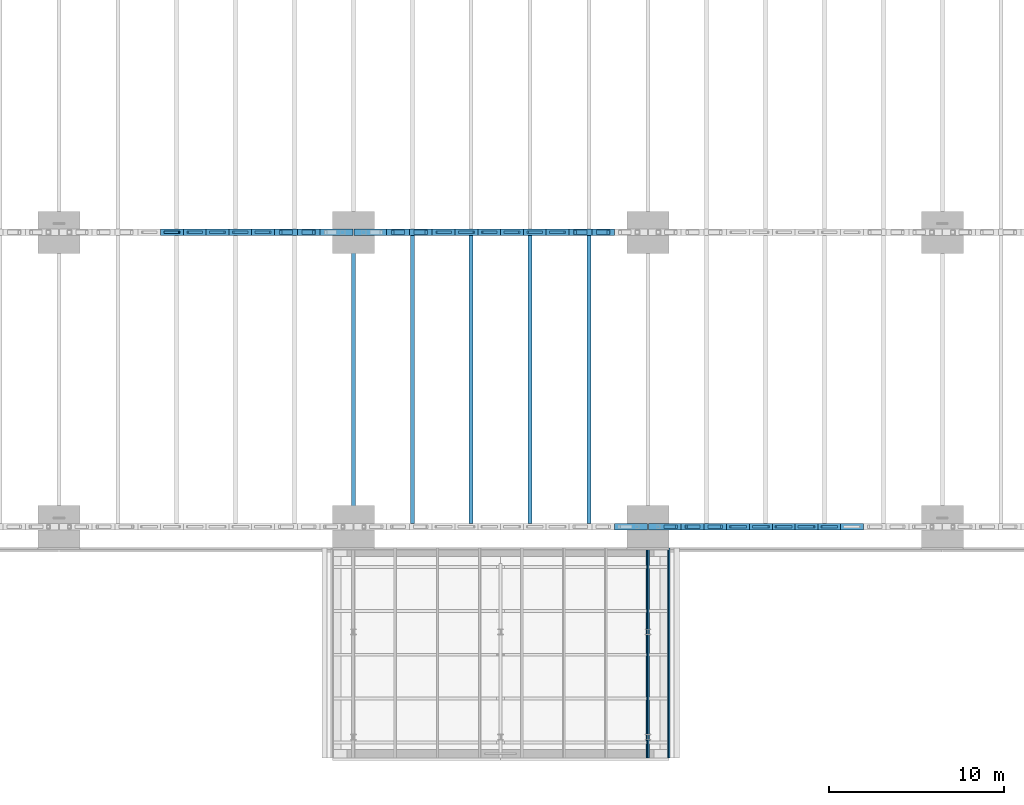
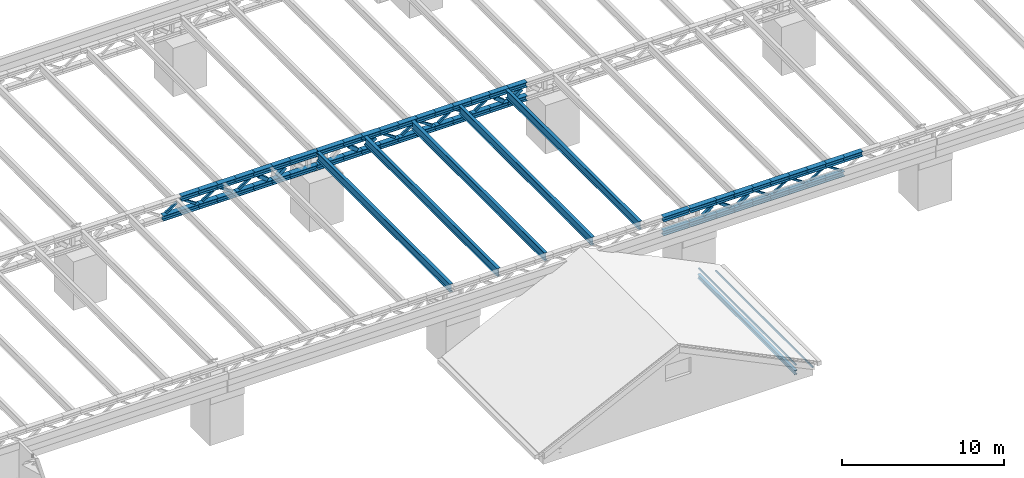
# One storey, part 23 of 93: 83 members, 6 beams.
"""IFC4 building model written with IfcOpenShell, lengths in metres."""

import ifcopenshell
import ifcopenshell.guid

model = None  # the IFC model being written
_history = None  # IfcOwnerHistory: only IFC2X3 demands one
_inside = {}  # id of a spatial element -> (the spatial element, [elements in it])
_under = {}  # id of a project, library or spatial element -> (it, [spatial elements below it])
_declared = {}  # id of a project -> (the project, [libraries it declares])
_typed = {}  # id of a type object -> (the type object, [elements of that type])
_made_of = {}  # id of a material, layer set ... -> (it, [elements and type objects made of it])


def new_model(schema):
    """Start an empty IFC model of exactly this schema.

    Asked for "IFC4X3", IfcOpenShell would pick the latest addendum, in which some entities
    have other attributes; the version numbers below select the first issue.
    IFC2X3 requires an IfcOwnerHistory on every rooted entity: one is made here for all.
    """
    global model, _history
    if schema == "IFC4X3":
        model = ifcopenshell.file(schema_version=(4, 3, 0, 0))
    else:
        model = ifcopenshell.file(schema=schema)
    _inside.clear()
    _under.clear()
    _declared.clear()
    _typed.clear()
    _made_of.clear()
    _history = None
    if model.schema == "IFC2X3":
        org = make("IfcOrganization", Name="unknown")
        user = make(
            "IfcPersonAndOrganization",
            ThePerson=make("IfcPerson", FamilyName="unknown"),
            TheOrganization=org,
        )
        app = make(
            "IfcApplication",
            ApplicationDeveloper=org,
            Version="unknown",
            ApplicationFullName="unknown",
            ApplicationIdentifier="unknown",
        )
        _history = make(
            "IfcOwnerHistory",
            OwningUser=user,
            OwningApplication=app,
            ChangeAction="ADDED",
            CreationDate=0,
        )
    return model


def make(cls, **values):
    """One entity of the class cls with the attributes given. An attribute that is None is left unset."""
    return model.create_entity(
        cls, **{name: value for name, value in values.items() if value is not None}
    )


def rooted(cls, **values):
    """An entity with a GlobalId (a new one), such as an element, a storey or a relation."""
    return make(cls, GlobalId=ifcopenshell.guid.new(), OwnerHistory=_history, **values)


def si_unit(unit_type, name, prefix=None):
    """IfcSIUnit, for example si_unit("LENGTHUNIT", "METRE", prefix="MILLI")."""
    return make("IfcSIUnit", UnitType=unit_type, Prefix=prefix, Name=name)


def assignment(units):
    """IfcUnitAssignment: the units of a project."""
    return None if units is None else make("IfcUnitAssignment", Units=units)


def point(xyz):
    """IfcCartesianPoint."""
    return None if xyz is None else make("IfcCartesianPoint", Coordinates=xyz)


def direction(xyz):
    """IfcDirection."""
    return None if xyz is None else make("IfcDirection", DirectionRatios=xyz)


def frame(location, z_axis=None, x_axis=None):
    """IfcAxis2Placement3D, a coordinate frame: its origin and axes. An axis left out is left unset."""
    return make(
        "IfcAxis2Placement3D",
        Location=point(location),
        Axis=direction(z_axis),
        RefDirection=direction(x_axis),
    )


def frame_2d(location, x_axis=None):
    """IfcAxis2Placement2D, a coordinate frame in the plane: its origin and x axis."""
    return make(
        "IfcAxis2Placement2D", Location=point(location), RefDirection=direction(x_axis)
    )


def origin():
    """The frame at (0, 0, 0) with its axes left unset."""
    return frame((0.0, 0.0, 0.0))


def origin_2d():
    """The frame at (0, 0) in the plane with its x axis left unset."""
    return frame_2d((0.0, 0.0))


def place(relative_to, where):
    """IfcLocalPlacement: puts the frame where relative to a parent placement (None: the world)."""
    return make(
        "IfcLocalPlacement", PlacementRelTo=relative_to, RelativePlacement=where
    )


def context(
    kind, dimensions, precision=None, world=None, true_north=None, identifier=None
):
    """IfcGeometricRepresentationContext, for example the 3D "Model" context."""
    return make(
        "IfcGeometricRepresentationContext",
        ContextIdentifier=identifier,
        ContextType=kind,
        CoordinateSpaceDimension=dimensions,
        Precision=precision,
        WorldCoordinateSystem=world,
        TrueNorth=true_north,
    )


def subcontext(parent, identifier, kind, view, scale=None):
    """IfcGeometricRepresentationSubContext, for example "Body" below "Model"."""
    return make(
        "IfcGeometricRepresentationSubContext",
        ContextIdentifier=identifier,
        ContextType=kind,
        ParentContext=parent,
        TargetScale=scale,
        TargetView=view,
    )


def project(units=None, contexts=None):
    """IfcProject with its units and contexts."""
    return rooted(
        "IfcProject",
        Name="project",
        RepresentationContexts=contexts,
        UnitsInContext=assignment(units),
    )


def spatial(cls, under=None, at=None, **own):
    """A site, building, storey or space (cls), placed at a placement, below another one or the project."""
    s = rooted(cls, ObjectPlacement=at, **own)
    if under is not None:
        _under.setdefault(under.id(), (under, []))[1].append(s)
    return s


def profile(cls, at=None, kind="AREA", **sizes):
    """A parametric profile (cls). Its sizes go by their IFC names, for example OverallWidth=200.0."""
    return make(cls, ProfileType=kind, Position=at, **sizes)


def hollow_rectangle(**sizes):
    """IfcRectangleHollowProfileDef."""
    return profile("IfcRectangleHollowProfileDef", **sizes)


def i_section(**sizes):
    """IfcIShapeProfileDef."""
    return profile("IfcIShapeProfileDef", **sizes)


def extrude(swept, where, along, depth):
    """IfcExtrudedAreaSolid: the profile swept, set in the frame where, extruded along a direction by depth."""
    return make(
        "IfcExtrudedAreaSolid",
        SweptArea=swept,
        Position=where,
        ExtrudedDirection=direction(along),
        Depth=depth,
    )


def shape(context_of_items, identifier, shape_type, items):
    """IfcShapeRepresentation: the items that make up one representation, for example the "Body"."""
    return make(
        "IfcShapeRepresentation",
        ContextOfItems=context_of_items,
        RepresentationIdentifier=identifier,
        RepresentationType=shape_type,
        Items=items,
    )


def material(Name=None, Category=None):
    """IfcMaterial."""
    return make("IfcMaterial", Name=Name, Category=Category)


def material_profile(
    of_material, cross_section, Name=None, Category=None, Priority=None
):
    """IfcMaterialProfile: a cross section and its material."""
    return make(
        "IfcMaterialProfile",
        Name=Name,
        Material=of_material,
        Profile=cross_section,
        Priority=Priority,
        Category=Category,
    )


def profile_set(profiles, Name=None, composite=None):
    """IfcMaterialProfileSet."""
    return make(
        "IfcMaterialProfileSet",
        Name=Name,
        MaterialProfiles=profiles,
        CompositeProfile=composite,
    )


def made_of(thing, what):
    """Note that an element or type object is made of a material, layer set ...; save() writes the relation."""
    if what is not None:
        _made_of.setdefault(what.id(), (what, []))[1].append(thing)
    return thing


def type_object(cls, material=None, **own):
    """A type object (cls), such as IfcWallType, which elements share."""
    return made_of(rooted(cls, **own), material)


def element(
    cls,
    number,
    at=None,
    inside=None,
    cuts=None,
    type_object=None,
    material=None,
    context=None,
    identifier="Body",
    shape_type=None,
    held_by="IfcProductDefinitionShape",
    body=None,
    shapes=None,
    **own,
):
    """One element of the class cls, such as IfcWall. Its Tag is "e" and its number.

    at: its placement. inside: the storey or other place that contains it. cuts: it is an
    opening in that element (IfcRelVoidsElement). A single representation is given by context,
    identifier, shape_type and body (its items); several are given by shapes. held_by: the class
    of the entity that holds the representations. save() writes the other relations.
    """
    e = rooted(cls, Tag="e%d" % number, ObjectPlacement=at, **own)
    if body is not None:
        shapes = [shape(context, identifier, shape_type, body)]
    if shapes is not None:
        e.Representation = make(held_by, Representations=shapes)
    if inside is not None:
        _inside.setdefault(inside.id(), (inside, []))[1].append(e)
    if cuts is not None:
        rooted(
            "IfcRelVoidsElement", RelatingBuildingElement=cuts, RelatedOpeningElement=e
        )
    if type_object is not None:
        _typed.setdefault(type_object.id(), (type_object, []))[1].append(e)
    return made_of(e, material)


def aggregate(whole, parts):
    """IfcRelAggregates: a whole, such as a stair, and the parts it consists of."""
    return rooted("IfcRelAggregates", RelatingObject=whole, RelatedObjects=parts)


def save(model, path):
    """Write the relations noted so far, then the file.

    IfcRelAggregates (storeys below a building ...), IfcRelContainedInSpatialStructure (elements
    in a storey), IfcRelDefinesByType, IfcRelAssociatesMaterial and IfcRelDeclares: one each for
    every whole, place, type object, material and project.
    """
    for whole, parts in _under.values():
        aggregate(whole, parts)
    for where, things in _inside.values():
        rooted(
            "IfcRelContainedInSpatialStructure",
            RelatedElements=things,
            RelatingStructure=where,
        )
    for kind, things in _typed.values():
        rooted("IfcRelDefinesByType", RelatedObjects=things, RelatingType=kind)
    for what, things in _made_of.values():
        rooted("IfcRelAssociatesMaterial", RelatedObjects=things, RelatingMaterial=what)
    for by, libraries in _declared.values():
        rooted("IfcRelDeclares", RelatingContext=by, RelatedDefinitions=libraries)
    model.write(path)


model = new_model("IFC4")

# Units and contexts
model_context = context("Model", 3, precision=1e-05, world=origin(), true_north=direction((0.0, 1.0)))
body_context = subcontext(model_context, "Body", "Model", "MODEL_VIEW")
ifc_project = project(units=[si_unit("LENGTHUNIT", "METRE"), si_unit("AREAUNIT", "SQUARE_METRE"), si_unit("VOLUMEUNIT", "CUBIC_METRE"), si_unit("PLANEANGLEUNIT", "RADIAN"), si_unit("MASSUNIT", "GRAM", prefix="KILO")], contexts=[model_context])

# Site, building, storey
site_placement = place(None, origin())
site = spatial("IfcSite", under=ifc_project, at=site_placement, CompositionType="ELEMENT")
building_placement = place(site_placement, origin())
building = spatial("IfcBuilding", under=site, at=building_placement, Name="Verrick Yard Athletic Hall", CompositionType="ELEMENT")
storey_placement = place(building_placement, frame((0.0, 0.0, 8.800048828125)))
storey = spatial("IfcBuildingStorey", under=building, at=storey_placement, Name="L02", CompositionType="ELEMENT", Elevation=8.800048828125)

# Beam
ifc_material_1 = material(Name="Structural steel 350W (CSA G40.21)", Category="steel")
ifc_material_profile_1 = material_profile(ifc_material_1, i_section(OverallWidth=0.205078125, OverallDepth=0.31005859375, WebThickness=0.009521484375, FlangeThickness=0.016357421875, at=origin_2d()), Name="W310x74")
ifc_profile_set_1 = profile_set([ifc_material_profile_1], Name="Structural steel 350W (CSA G40.21)")
beam_type_1 = type_object("IfcBeamType", Name="STR Eave beam W310x74", PredefinedType="BEAM", material=ifc_profile_set_1)
beam_placement = place(storey_placement, frame((107.199951171875, 6.0, 0.634765625), z_axis=(0.0, 1.0, 0.0), x_axis=(-1.0, 0.0, 0.0)))
element("IfcBeam", 1, at=beam_placement, inside=storey, type_object=beam_type_1, Name="STR-EB-F2", PredefinedType="BEAM", context=body_context, shape_type="SweptSolid", body=[
    extrude(i_section(OverallWidth=0.205078125, OverallDepth=0.31005859375, WebThickness=0.009521484375, FlangeThickness=0.016357421875, at=origin_2d()), origin(), (0.0, 0.0, 1.0), 12.0),
])

# Members
ifc_material_profile_2 = material_profile(ifc_material_1, i_section(OverallWidth=0.368896484375, OverallDepth=0.35595703125, WebThickness=0.01123046875, FlangeThickness=0.01806640625, at=origin_2d()), Name="W360x134")
ifc_profile_set_2 = profile_set([ifc_material_profile_2], Name="Structural steel 350W (CSA G40.21)")
member_type_1 = type_object("IfcMemberType", Name="STR Edge truss bottom chord W360x134", PredefinedType="CHORD", material=ifc_profile_set_2)
for number, where, z_axis, x_axis, name in (
    (2, (105.300048828125, 19.199951171875, 3.827880859375), (1.0, 0.0, 0.0), (0.0, 1.0, 0.0), "STR-BC-GA4-12"),
    (3, (107.22509765625, 19.199951171875, 3.827880859375), (1.0, 0.0, 0.0), (0.0, 1.0, 0.0), "STR-BC-GA5-1"),
):
    element("IfcMember", number, at=place(storey_placement, frame(where, z_axis=z_axis, x_axis=x_axis)), inside=storey, type_object=member_type_1, Name=name, PredefinedType="CHORD", context=body_context, shape_type="SweptSolid", body=[
        extrude(i_section(OverallWidth=0.368896484375, OverallDepth=0.35595703125, WebThickness=0.01123046875, FlangeThickness=0.01806640625, at=origin_2d()), origin(), (0.0, 0.0, 1.0), 1.875),
    ])
member_1_placement = place(storey_placement, frame((109.10009765625, 19.199951171875, 3.827880859375), z_axis=(1.0, 0.0, 0.0), x_axis=(0.0, 1.0, 0.0)))
element("IfcMember", 4, at=member_1_placement, inside=storey, type_object=member_type_1, Name="STR-BC-GA5-2", PredefinedType="CHORD", context=body_context, shape_type="SweptSolid", body=[
    extrude(i_section(OverallWidth=0.368896484375, OverallDepth=0.35595703125, WebThickness=0.01123046875, FlangeThickness=0.01806640625, at=origin_2d()), origin(), (0.0, 0.0, 1.0), 1.2998046875),
])
for number, where, z_axis, x_axis, name in (
    (5, (110.39990234375, 19.199951171875, 3.827880859375), (1.0, 0.0, 0.0), (0.0, 1.0, 0.0), "STR-BC-GA5-3"),
    (6, (111.699951171875, 19.199951171875, 3.827880859375), (1.0, 0.0, 0.0), (0.0, 1.0, 0.0), "STR-BC-GA5-4"),
    (7, (113.0, 19.199951171875, 3.827880859375), (1.0, 0.0, 0.0), (0.0, 1.0, 0.0), "STR-BC-GA5-5"),
    (8, (114.300048828125, 19.199951171875, 3.827880859375), (1.0, 0.0, 0.0), (0.0, 1.0, 0.0), "STR-BC-GA5-6"),
):
    element("IfcMember", number, at=place(storey_placement, frame(where, z_axis=z_axis, x_axis=x_axis)), inside=storey, type_object=member_type_1, Name=name, PredefinedType="CHORD", context=body_context, shape_type="SweptSolid", body=[
        extrude(i_section(OverallWidth=0.368896484375, OverallDepth=0.35595703125, WebThickness=0.01123046875, FlangeThickness=0.01806640625, at=origin_2d()), origin(), (0.0, 0.0, 1.0), 1.300048828125),
    ])
member_2_placement = place(storey_placement, frame((115.60009765625, 19.199951171875, 3.827880859375), z_axis=(1.0, 0.0, 0.0), x_axis=(0.0, 1.0, 0.0)))
element("IfcMember", 9, at=member_2_placement, inside=storey, type_object=member_type_1, Name="STR-BC-GA5-7", PredefinedType="CHORD", context=body_context, shape_type="SweptSolid", body=[
    extrude(i_section(OverallWidth=0.368896484375, OverallDepth=0.35595703125, WebThickness=0.01123046875, FlangeThickness=0.01806640625, at=origin_2d()), origin(), (0.0, 0.0, 1.0), 1.2998046875),
])
member_3_placement = place(storey_placement, frame((116.89990234375, 19.199951171875, 3.827880859375), z_axis=(1.0, 0.0, 0.0), x_axis=(0.0, 1.0, 0.0)))
element("IfcMember", 10, at=member_3_placement, inside=storey, type_object=member_type_1, Name="STR-BC-GA5-8", PredefinedType="CHORD", context=body_context, shape_type="SweptSolid", body=[
    extrude(i_section(OverallWidth=0.368896484375, OverallDepth=0.35595703125, WebThickness=0.01123046875, FlangeThickness=0.01806640625, at=origin_2d()), origin(), (0.0, 0.0, 1.0), 1.300048828125),
])
ifc_material_profile_3 = material_profile(ifc_material_1, i_section(OverallWidth=0.368896484375, OverallDepth=0.35595703125, WebThickness=0.01123046875, FlangeThickness=0.01806640625, at=origin_2d()), Name="W360x134")
ifc_profile_set_3 = profile_set([ifc_material_profile_3], Name="Structural steel 350W (CSA G40.21)")
member_type_2 = type_object("IfcMemberType", Name="STR Edge truss top chord W360x134", PredefinedType="CHORD", material=ifc_profile_set_3)
for number, where, z_axis, x_axis, name in (
    (11, (105.300048828125, 19.199951171875, 4.8720703125), (1.0, 0.0, 0.0), (0.0, 1.0, 0.0), "STR-TC-GA4-12"),
    (12, (107.22509765625, 19.199951171875, 4.8720703125), (1.0, 0.0, 0.0), (0.0, 1.0, 0.0), "STR-TC-GA5-1"),
):
    element("IfcMember", number, at=place(storey_placement, frame(where, z_axis=z_axis, x_axis=x_axis)), inside=storey, type_object=member_type_2, Name=name, PredefinedType="CHORD", context=body_context, shape_type="SweptSolid", body=[
        extrude(i_section(OverallWidth=0.368896484375, OverallDepth=0.35595703125, WebThickness=0.01123046875, FlangeThickness=0.01806640625, at=origin_2d()), origin(), (0.0, 0.0, 1.0), 1.875),
    ])
member_4_placement = place(storey_placement, frame((109.10009765625, 19.199951171875, 4.8720703125), z_axis=(1.0, 0.0, 0.0), x_axis=(0.0, 1.0, 0.0)))
element("IfcMember", 13, at=member_4_placement, inside=storey, type_object=member_type_2, Name="STR-TC-GA5-2", PredefinedType="CHORD", context=body_context, shape_type="SweptSolid", body=[
    extrude(i_section(OverallWidth=0.368896484375, OverallDepth=0.35595703125, WebThickness=0.01123046875, FlangeThickness=0.01806640625, at=origin_2d()), origin(), (0.0, 0.0, 1.0), 1.2998046875),
])
for number, where, z_axis, x_axis, name in (
    (14, (110.39990234375, 19.199951171875, 4.8720703125), (1.0, 0.0, 0.0), (0.0, 1.0, 0.0), "STR-TC-GA5-3"),
    (15, (111.699951171875, 19.199951171875, 4.8720703125), (1.0, 0.0, 0.0), (0.0, 1.0, 0.0), "STR-TC-GA5-4"),
    (16, (113.0, 19.199951171875, 4.8720703125), (1.0, 0.0, 0.0), (0.0, 1.0, 0.0), "STR-TC-GA5-5"),
    (17, (114.300048828125, 19.199951171875, 4.8720703125), (1.0, 0.0, 0.0), (0.0, 1.0, 0.0), "STR-TC-GA5-6"),
):
    element("IfcMember", number, at=place(storey_placement, frame(where, z_axis=z_axis, x_axis=x_axis)), inside=storey, type_object=member_type_2, Name=name, PredefinedType="CHORD", context=body_context, shape_type="SweptSolid", body=[
        extrude(i_section(OverallWidth=0.368896484375, OverallDepth=0.35595703125, WebThickness=0.01123046875, FlangeThickness=0.01806640625, at=origin_2d()), origin(), (0.0, 0.0, 1.0), 1.300048828125),
    ])
member_5_placement = place(storey_placement, frame((115.60009765625, 19.199951171875, 4.8720703125), z_axis=(1.0, 0.0, 0.0), x_axis=(0.0, 1.0, 0.0)))
element("IfcMember", 18, at=member_5_placement, inside=storey, type_object=member_type_2, Name="STR-TC-GA5-7", PredefinedType="CHORD", context=body_context, shape_type="SweptSolid", body=[
    extrude(i_section(OverallWidth=0.368896484375, OverallDepth=0.35595703125, WebThickness=0.01123046875, FlangeThickness=0.01806640625, at=origin_2d()), origin(), (0.0, 0.0, 1.0), 1.2998046875),
])
for number, where, z_axis, x_axis, name in (
    (19, (116.89990234375, 19.199951171875, 4.8720703125), (1.0, 0.0, 0.0), (0.0, 1.0, 0.0), "STR-TC-GA5-8"),
    (20, (118.199951171875, 19.199951171875, 4.8720703125), (1.0, 0.0, 0.0), (0.0, 1.0, 0.0), "STR-TC-GA5-9"),
):
    element("IfcMember", number, at=place(storey_placement, frame(where, z_axis=z_axis, x_axis=x_axis)), inside=storey, type_object=member_type_2, Name=name, PredefinedType="CHORD", context=body_context, shape_type="SweptSolid", body=[
        extrude(i_section(OverallWidth=0.368896484375, OverallDepth=0.35595703125, WebThickness=0.01123046875, FlangeThickness=0.01806640625, at=origin_2d()), origin(), (0.0, 0.0, 1.0), 1.300048828125),
    ])
ifc_material_2 = material(Name="Structural steel HSS Class C 350W (CSA G40.20/G40.21)", Category="steel")
ifc_material_profile_4 = material_profile(ifc_material_2, hollow_rectangle(XDim=0.126953125, YDim=0.126953125, WallThickness=0.009521484375, at=origin_2d()), Name="HSS127x127x9.5")
ifc_profile_set_4 = profile_set([ifc_material_profile_4], Name="Structural steel HSS Class C 350W (CSA G40.20/G40.21)")
member_type_3 = type_object("IfcMemberType", Name="STR Edge truss web HSS127x127x9.5", PredefinedType="BRACE", material=ifc_profile_set_4)
for number, where, z_axis, x_axis, name in (
    (21, (111.90234375, 19.199951171875, 4.641357421875), (0.838083139624, 0.0, -0.54554252912), (0.0, 1.0, 0.0), "STR-TW-GA5-4"),
    (22, (113.202392578125, 19.199951171875, 4.05859375), (0.838083139624, 0.0, 0.54554252912), (0.0, 1.0, 0.0), "STR-TW-GA5-5"),
    (23, (114.50244140625, 19.199951171875, 4.641357421875), (0.838083139624, 0.0, -0.54554252912), (0.0, 1.0, 0.0), "STR-TW-GA5-6"),
):
    element("IfcMember", number, at=place(storey_placement, frame(where, z_axis=z_axis, x_axis=x_axis)), inside=storey, type_object=member_type_3, Name=name, PredefinedType="BRACE", context=body_context, shape_type="SweptSolid", body=[
        extrude(hollow_rectangle(XDim=0.126953125, YDim=0.126953125, WallThickness=0.009521484375, at=origin_2d()), origin(), (0.0, 0.0, 1.0), 1.068115234375),
    ])
member_6_placement = place(storey_placement, frame((115.80224609375, 19.199951171875, 4.05859375), z_axis=(0.838151139583, 0.0, 0.545438050759), x_axis=(0.0, 1.0, 0.0)))
element("IfcMember", 24, at=member_6_placement, inside=storey, type_object=member_type_3, Name="STR-TW-GA5-7", PredefinedType="BRACE", context=body_context, shape_type="SweptSolid", body=[
    extrude(hollow_rectangle(XDim=0.126953125, YDim=0.126953125, WallThickness=0.009521484375, at=origin_2d()), origin(), (0.0, 0.0, 1.0), 1.068359375),
])
member_7_placement = place(storey_placement, frame((117.102294921875, 19.199951171875, 4.641357421875), z_axis=(0.838083139624, 0.0, -0.54554252912), x_axis=(0.0, 1.0, 0.0)))
element("IfcMember", 25, at=member_7_placement, inside=storey, type_object=member_type_3, Name="STR-TW-GA5-8", PredefinedType="BRACE", context=body_context, shape_type="SweptSolid", body=[
    extrude(hollow_rectangle(XDim=0.126953125, YDim=0.126953125, WallThickness=0.009521484375, at=origin_2d()), origin(), (0.0, 0.0, 1.0), 1.068115234375),
])
ifc_material_profile_5 = material_profile(ifc_material_2, hollow_rectangle(XDim=0.203125, YDim=0.203125, WallThickness=0.0126953125, at=origin_2d()), Name="HSS203x203x13")
ifc_profile_set_5 = profile_set([ifc_material_profile_5], Name="Structural steel HSS Class C 350W (CSA G40.20/G40.21)")
member_type_4 = type_object("IfcMemberType", Name="STR Edge truss web HSS203x203x13", PredefinedType="BRACE", material=ifc_profile_set_5)
member_8_placement = place(storey_placement, frame((108.172119140625, 19.199951171875, 4.084716796875), z_axis=(0.780503800734, 0.0, 0.625151035383), x_axis=(0.0, 1.0, 0.0)))
element("IfcMember", 26, at=member_8_placement, inside=storey, type_object=member_type_4, Name="STR-TW-GA5-1", PredefinedType="BRACE", context=body_context, shape_type="SweptSolid", body=[
    extrude(hollow_rectangle(XDim=0.203125, YDim=0.203125, WallThickness=0.0126953125, at=origin_2d()), origin(), (0.0, 0.0, 1.0), 0.8486328125),
])
for number, where, z_axis, x_axis, name in (
    (27, (109.3896484375, 19.199951171875, 4.6123046875), (0.808333297144, 0.0, -0.588725131728), (0.0, 1.0, 0.0), "STR-TW-GA5-2"),
    (28, (110.689697265625, 19.199951171875, 4.08740234375), (0.808333297144, 0.0, 0.588725131728), (0.0, 1.0, 0.0), "STR-TW-GA5-3"),
):
    element("IfcMember", number, at=place(storey_placement, frame(where, z_axis=z_axis, x_axis=x_axis)), inside=storey, type_object=member_type_4, Name=name, PredefinedType="BRACE", context=body_context, shape_type="SweptSolid", body=[
        extrude(hollow_rectangle(XDim=0.203125, YDim=0.203125, WallThickness=0.0126953125, at=origin_2d()), origin(), (0.0, 0.0, 1.0), 0.8916015625),
    ])
ifc_material_profile_6 = material_profile(ifc_material_2, hollow_rectangle(XDim=0.1015625, YDim=0.1015625, WallThickness=0.00634765625, at=origin_2d()), Name="HSS102x102x6.4")
ifc_profile_set_6 = profile_set([ifc_material_profile_6], Name="Structural steel HSS Class C 350W (CSA G40.20/G40.21)")
member_type_5 = type_object("IfcMemberType", Name="STR Purlin HSS102x102x6.4", PredefinedType="PURLIN", material=ifc_profile_set_6)
for number, where, z_axis, x_axis, name in (
    (29, (107.199951171875, 6.0, 1.193115234375), (0.0, 1.0, 0.0), (-0.894427191001, 0.0, 0.447213595499), "STR-PU-FE4"),
    (30, (108.39990234375, 6.0, 0.59326171875), (0.0, 1.0, 0.0), (-0.894427191001, 0.0, 0.447213595499), "STR-PU-FE5"),
):
    element("IfcMember", number, at=place(storey_placement, frame(where, z_axis=z_axis, x_axis=x_axis)), inside=storey, type_object=member_type_5, Name=name, PredefinedType="PURLIN", context=body_context, shape_type="SweptSolid", body=[
        extrude(hollow_rectangle(XDim=0.1015625, YDim=0.1015625, WallThickness=0.00634765625, at=origin_2d()), origin(), (0.0, 0.0, 1.0), 12.0),
    ])

# Beams
ifc_material_profile_7 = material_profile(ifc_material_1, i_section(OverallWidth=0.22802734375, OverallDepth=0.60791015625, WebThickness=0.01123046875, FlangeThickness=0.017333984375, at=origin_2d()), Name="W610x113")
ifc_profile_set_7 = profile_set([ifc_material_profile_7], Name="Structural steel 350W (CSA G40.21)")
beam_type_2 = type_object("IfcBeamType", Name="STR Secondary beam W610x113", PredefinedType="BEAM", material=ifc_profile_set_7)
for number, where, z_axis, x_axis, name in (
    (31, (93.760009765625, 19.384521484375, 4.745849609375), (0.0, 1.0, 0.0), (-1.0, 0.0, 0.0), "STR-SB-S141"),
    (32, (97.1201171875, 19.384521484375, 4.745849609375), (0.0, 1.0, 0.0), (-1.0, 0.0, 0.0), "STR-SB-S142"),
    (33, (100.47998046875, 19.384521484375, 4.745849609375), (0.0, 1.0, 0.0), (-1.0, 0.0, 0.0), "STR-SB-S143"),
    (34, (103.840087890625, 19.384521484375, 4.745849609375), (0.0, 1.0, 0.0), (-1.0, 0.0, 0.0), "STR-SB-S144"),
    (35, (90.39990234375, 19.384521484375, 4.745849609375), (0.0, 1.0, 0.0), (-1.0, 0.0, 0.0), "STR-SB-X4A"),
):
    element("IfcBeam", number, at=place(storey_placement, frame(where, z_axis=z_axis, x_axis=x_axis)), inside=storey, type_object=beam_type_2, Name=name, PredefinedType="BEAM", context=body_context, shape_type="SweptSolid", body=[
        extrude(i_section(OverallWidth=0.22802734375, OverallDepth=0.60791015625, WebThickness=0.01123046875, FlangeThickness=0.017333984375, at=origin_2d()), origin(), (0.0, 0.0, 1.0), 16.428466796875),
    ])

# Members
ifc_material_profile_8 = material_profile(ifc_material_1, i_section(OverallWidth=0.3740234375, OverallDepth=0.3720703125, WebThickness=0.016357421875, FlangeThickness=0.026123046875, at=origin_2d()), Name="W360x196")
ifc_profile_set_8 = profile_set([ifc_material_profile_8], Name="Structural steel 350W (CSA G40.21)")
member_type_6 = type_object("IfcMemberType", Name="STR Truss bottom chord W360x196", PredefinedType="CHORD", material=ifc_profile_set_8)
for number, where, z_axis, x_axis, name in (
    (36, (79.39990234375, 36.0, 3.8359375), (1.0, 0.0, 0.0), (0.0, 1.0, 0.0), "STR-BC-GB3-5"),
    (37, (80.699951171875, 36.0, 3.8359375), (1.0, 0.0, 0.0), (0.0, 1.0, 0.0), "STR-BC-GB3-6"),
    (38, (82.0, 36.0, 3.8359375), (1.0, 0.0, 0.0), (0.0, 1.0, 0.0), "STR-BC-GB3-7"),
    (39, (83.300048828125, 36.0, 3.8359375), (1.0, 0.0, 0.0), (0.0, 1.0, 0.0), "STR-BC-GB3-8"),
):
    element("IfcMember", number, at=place(storey_placement, frame(where, z_axis=z_axis, x_axis=x_axis)), inside=storey, type_object=member_type_6, Name=name, PredefinedType="CHORD", context=body_context, shape_type="SweptSolid", body=[
        extrude(i_section(OverallWidth=0.3740234375, OverallDepth=0.3720703125, WebThickness=0.016357421875, FlangeThickness=0.026123046875, at=origin_2d()), origin(), (0.0, 0.0, 1.0), 1.300048828125),
    ])
member_9_placement = place(storey_placement, frame((84.60009765625, 36.0, 3.8359375), z_axis=(1.0, 0.0, 0.0), x_axis=(0.0, 1.0, 0.0)))
element("IfcMember", 40, at=member_9_placement, inside=storey, type_object=member_type_6, Name="STR-BC-GB3-9", PredefinedType="CHORD", context=body_context, shape_type="SweptSolid", body=[
    extrude(i_section(OverallWidth=0.3740234375, OverallDepth=0.3720703125, WebThickness=0.016357421875, FlangeThickness=0.026123046875, at=origin_2d()), origin(), (0.0, 0.0, 1.0), 1.2998046875),
])
for number, where, z_axis, x_axis, name in (
    (41, (85.89990234375, 36.0, 3.8359375), (1.0, 0.0, 0.0), (0.0, 1.0, 0.0), "STR-BC-GB3-10"),
    (42, (87.199951171875, 36.0, 3.8359375), (1.0, 0.0, 0.0), (0.0, 1.0, 0.0), "STR-BC-GB3-11"),
):
    element("IfcMember", number, at=place(storey_placement, frame(where, z_axis=z_axis, x_axis=x_axis)), inside=storey, type_object=member_type_6, Name=name, PredefinedType="CHORD", context=body_context, shape_type="SweptSolid", body=[
        extrude(i_section(OverallWidth=0.3740234375, OverallDepth=0.3720703125, WebThickness=0.016357421875, FlangeThickness=0.026123046875, at=origin_2d()), origin(), (0.0, 0.0, 1.0), 1.300048828125),
    ])
for number, where, z_axis, x_axis, name in (
    (43, (88.5, 36.0, 3.8359375), (1.0, 0.0, 0.0), (0.0, 1.0, 0.0), "STR-BC-GB3-12"),
    (44, (90.425048828125, 36.0, 3.8359375), (1.0, 0.0, 0.0), (0.0, 1.0, 0.0), "STR-BC-GB4-1"),
):
    element("IfcMember", number, at=place(storey_placement, frame(where, z_axis=z_axis, x_axis=x_axis)), inside=storey, type_object=member_type_6, Name=name, PredefinedType="CHORD", context=body_context, shape_type="SweptSolid", body=[
        extrude(i_section(OverallWidth=0.3740234375, OverallDepth=0.3720703125, WebThickness=0.016357421875, FlangeThickness=0.026123046875, at=origin_2d()), origin(), (0.0, 0.0, 1.0), 1.875),
    ])
member_10_placement = place(storey_placement, frame((92.300048828125, 36.0, 3.8359375), z_axis=(1.0, 0.0, 0.0), x_axis=(0.0, 1.0, 0.0)))
element("IfcMember", 45, at=member_10_placement, inside=storey, type_object=member_type_6, Name="STR-BC-GB4-2", PredefinedType="CHORD", context=body_context, shape_type="SweptSolid", body=[
    extrude(i_section(OverallWidth=0.3740234375, OverallDepth=0.3720703125, WebThickness=0.016357421875, FlangeThickness=0.026123046875, at=origin_2d()), origin(), (0.0, 0.0, 1.0), 1.300048828125),
])
member_11_placement = place(storey_placement, frame((93.60009765625, 36.0, 3.8359375), z_axis=(1.0, 0.0, 0.0), x_axis=(0.0, 1.0, 0.0)))
element("IfcMember", 46, at=member_11_placement, inside=storey, type_object=member_type_6, Name="STR-BC-GB4-3", PredefinedType="CHORD", context=body_context, shape_type="SweptSolid", body=[
    extrude(i_section(OverallWidth=0.3740234375, OverallDepth=0.3720703125, WebThickness=0.016357421875, FlangeThickness=0.026123046875, at=origin_2d()), origin(), (0.0, 0.0, 1.0), 1.2998046875),
])
for number, where, z_axis, x_axis, name in (
    (47, (94.89990234375, 36.0, 3.8359375), (1.0, 0.0, 0.0), (0.0, 1.0, 0.0), "STR-BC-GB4-4"),
    (48, (96.199951171875, 36.0, 3.8359375), (1.0, 0.0, 0.0), (0.0, 1.0, 0.0), "STR-BC-GB4-5"),
    (49, (97.5, 36.0, 3.8359375), (1.0, 0.0, 0.0), (0.0, 1.0, 0.0), "STR-BC-GB4-6"),
    (50, (98.800048828125, 36.0, 3.8359375), (1.0, 0.0, 0.0), (0.0, 1.0, 0.0), "STR-BC-GB4-7"),
):
    element("IfcMember", number, at=place(storey_placement, frame(where, z_axis=z_axis, x_axis=x_axis)), inside=storey, type_object=member_type_6, Name=name, PredefinedType="CHORD", context=body_context, shape_type="SweptSolid", body=[
        extrude(i_section(OverallWidth=0.3740234375, OverallDepth=0.3720703125, WebThickness=0.016357421875, FlangeThickness=0.026123046875, at=origin_2d()), origin(), (0.0, 0.0, 1.0), 1.300048828125),
    ])
member_12_placement = place(storey_placement, frame((100.10009765625, 36.0, 3.8359375), z_axis=(1.0, 0.0, 0.0), x_axis=(0.0, 1.0, 0.0)))
element("IfcMember", 51, at=member_12_placement, inside=storey, type_object=member_type_6, Name="STR-BC-GB4-8", PredefinedType="CHORD", context=body_context, shape_type="SweptSolid", body=[
    extrude(i_section(OverallWidth=0.3740234375, OverallDepth=0.3720703125, WebThickness=0.016357421875, FlangeThickness=0.026123046875, at=origin_2d()), origin(), (0.0, 0.0, 1.0), 1.2998046875),
])
for number, where, z_axis, x_axis, name in (
    (52, (101.39990234375, 36.0, 3.8359375), (1.0, 0.0, 0.0), (0.0, 1.0, 0.0), "STR-BC-GB4-9"),
    (53, (102.699951171875, 36.0, 3.8359375), (1.0, 0.0, 0.0), (0.0, 1.0, 0.0), "STR-BC-GB4-10"),
    (54, (104.0, 36.0, 3.8359375), (1.0, 0.0, 0.0), (0.0, 1.0, 0.0), "STR-BC-GB4-11"),
):
    element("IfcMember", number, at=place(storey_placement, frame(where, z_axis=z_axis, x_axis=x_axis)), inside=storey, type_object=member_type_6, Name=name, PredefinedType="CHORD", context=body_context, shape_type="SweptSolid", body=[
        extrude(i_section(OverallWidth=0.3740234375, OverallDepth=0.3720703125, WebThickness=0.016357421875, FlangeThickness=0.026123046875, at=origin_2d()), origin(), (0.0, 0.0, 1.0), 1.300048828125),
    ])
ifc_material_profile_9 = material_profile(ifc_material_1, i_section(OverallWidth=0.3740234375, OverallDepth=0.3720703125, WebThickness=0.016357421875, FlangeThickness=0.026123046875, at=origin_2d()), Name="W360x196")
ifc_profile_set_9 = profile_set([ifc_material_profile_9], Name="Structural steel 350W (CSA G40.21)")
member_type_7 = type_object("IfcMemberType", Name="STR Truss top chord W360x196", PredefinedType="CHORD", material=ifc_profile_set_9)
for number, where, z_axis, x_axis, name in (
    (55, (80.699951171875, 36.0, 4.864013671875), (1.0, 0.0, 0.0), (0.0, 1.0, 0.0), "STR-TC-GB3-6"),
    (56, (82.0, 36.0, 4.864013671875), (1.0, 0.0, 0.0), (0.0, 1.0, 0.0), "STR-TC-GB3-7"),
    (57, (83.300048828125, 36.0, 4.864013671875), (1.0, 0.0, 0.0), (0.0, 1.0, 0.0), "STR-TC-GB3-8"),
):
    element("IfcMember", number, at=place(storey_placement, frame(where, z_axis=z_axis, x_axis=x_axis)), inside=storey, type_object=member_type_7, Name=name, PredefinedType="CHORD", context=body_context, shape_type="SweptSolid", body=[
        extrude(i_section(OverallWidth=0.3740234375, OverallDepth=0.3720703125, WebThickness=0.016357421875, FlangeThickness=0.026123046875, at=origin_2d()), origin(), (0.0, 0.0, 1.0), 1.300048828125),
    ])
member_13_placement = place(storey_placement, frame((84.60009765625, 36.0, 4.864013671875), z_axis=(1.0, 0.0, 0.0), x_axis=(0.0, 1.0, 0.0)))
element("IfcMember", 58, at=member_13_placement, inside=storey, type_object=member_type_7, Name="STR-TC-GB3-9", PredefinedType="CHORD", context=body_context, shape_type="SweptSolid", body=[
    extrude(i_section(OverallWidth=0.3740234375, OverallDepth=0.3720703125, WebThickness=0.016357421875, FlangeThickness=0.026123046875, at=origin_2d()), origin(), (0.0, 0.0, 1.0), 1.2998046875),
])
for number, where, z_axis, x_axis, name in (
    (59, (85.89990234375, 36.0, 4.864013671875), (1.0, 0.0, 0.0), (0.0, 1.0, 0.0), "STR-TC-GB3-10"),
    (60, (87.199951171875, 36.0, 4.864013671875), (1.0, 0.0, 0.0), (0.0, 1.0, 0.0), "STR-TC-GB3-11"),
):
    element("IfcMember", number, at=place(storey_placement, frame(where, z_axis=z_axis, x_axis=x_axis)), inside=storey, type_object=member_type_7, Name=name, PredefinedType="CHORD", context=body_context, shape_type="SweptSolid", body=[
        extrude(i_section(OverallWidth=0.3740234375, OverallDepth=0.3720703125, WebThickness=0.016357421875, FlangeThickness=0.026123046875, at=origin_2d()), origin(), (0.0, 0.0, 1.0), 1.300048828125),
    ])
for number, where, z_axis, x_axis, name in (
    (61, (88.5, 36.0, 4.864013671875), (1.0, 0.0, 0.0), (0.0, 1.0, 0.0), "STR-TC-GB3-12"),
    (62, (90.425048828125, 36.0, 4.864013671875), (1.0, 0.0, 0.0), (0.0, 1.0, 0.0), "STR-TC-GB4-1"),
):
    element("IfcMember", number, at=place(storey_placement, frame(where, z_axis=z_axis, x_axis=x_axis)), inside=storey, type_object=member_type_7, Name=name, PredefinedType="CHORD", context=body_context, shape_type="SweptSolid", body=[
        extrude(i_section(OverallWidth=0.3740234375, OverallDepth=0.3720703125, WebThickness=0.016357421875, FlangeThickness=0.026123046875, at=origin_2d()), origin(), (0.0, 0.0, 1.0), 1.875),
    ])
member_14_placement = place(storey_placement, frame((92.300048828125, 36.0, 4.864013671875), z_axis=(1.0, 0.0, 0.0), x_axis=(0.0, 1.0, 0.0)))
element("IfcMember", 63, at=member_14_placement, inside=storey, type_object=member_type_7, Name="STR-TC-GB4-2", PredefinedType="CHORD", context=body_context, shape_type="SweptSolid", body=[
    extrude(i_section(OverallWidth=0.3740234375, OverallDepth=0.3720703125, WebThickness=0.016357421875, FlangeThickness=0.026123046875, at=origin_2d()), origin(), (0.0, 0.0, 1.0), 1.300048828125),
])
member_15_placement = place(storey_placement, frame((93.60009765625, 36.0, 4.864013671875), z_axis=(1.0, 0.0, 0.0), x_axis=(0.0, 1.0, 0.0)))
element("IfcMember", 64, at=member_15_placement, inside=storey, type_object=member_type_7, Name="STR-TC-GB4-3", PredefinedType="CHORD", context=body_context, shape_type="SweptSolid", body=[
    extrude(i_section(OverallWidth=0.3740234375, OverallDepth=0.3720703125, WebThickness=0.016357421875, FlangeThickness=0.026123046875, at=origin_2d()), origin(), (0.0, 0.0, 1.0), 1.2998046875),
])
for number, where, z_axis, x_axis, name in (
    (65, (94.89990234375, 36.0, 4.864013671875), (1.0, 0.0, 0.0), (0.0, 1.0, 0.0), "STR-TC-GB4-4"),
    (66, (96.199951171875, 36.0, 4.864013671875), (1.0, 0.0, 0.0), (0.0, 1.0, 0.0), "STR-TC-GB4-5"),
    (67, (97.5, 36.0, 4.864013671875), (1.0, 0.0, 0.0), (0.0, 1.0, 0.0), "STR-TC-GB4-6"),
    (68, (98.800048828125, 36.0, 4.864013671875), (1.0, 0.0, 0.0), (0.0, 1.0, 0.0), "STR-TC-GB4-7"),
):
    element("IfcMember", number, at=place(storey_placement, frame(where, z_axis=z_axis, x_axis=x_axis)), inside=storey, type_object=member_type_7, Name=name, PredefinedType="CHORD", context=body_context, shape_type="SweptSolid", body=[
        extrude(i_section(OverallWidth=0.3740234375, OverallDepth=0.3720703125, WebThickness=0.016357421875, FlangeThickness=0.026123046875, at=origin_2d()), origin(), (0.0, 0.0, 1.0), 1.300048828125),
    ])
member_16_placement = place(storey_placement, frame((100.10009765625, 36.0, 4.864013671875), z_axis=(1.0, 0.0, 0.0), x_axis=(0.0, 1.0, 0.0)))
element("IfcMember", 69, at=member_16_placement, inside=storey, type_object=member_type_7, Name="STR-TC-GB4-8", PredefinedType="CHORD", context=body_context, shape_type="SweptSolid", body=[
    extrude(i_section(OverallWidth=0.3740234375, OverallDepth=0.3720703125, WebThickness=0.016357421875, FlangeThickness=0.026123046875, at=origin_2d()), origin(), (0.0, 0.0, 1.0), 1.2998046875),
])
for number, where, z_axis, x_axis, name in (
    (70, (101.39990234375, 36.0, 4.864013671875), (1.0, 0.0, 0.0), (0.0, 1.0, 0.0), "STR-TC-GB4-9"),
    (71, (102.699951171875, 36.0, 4.864013671875), (1.0, 0.0, 0.0), (0.0, 1.0, 0.0), "STR-TC-GB4-10"),
    (72, (104.0, 36.0, 4.864013671875), (1.0, 0.0, 0.0), (0.0, 1.0, 0.0), "STR-TC-GB4-11"),
):
    element("IfcMember", number, at=place(storey_placement, frame(where, z_axis=z_axis, x_axis=x_axis)), inside=storey, type_object=member_type_7, Name=name, PredefinedType="CHORD", context=body_context, shape_type="SweptSolid", body=[
        extrude(i_section(OverallWidth=0.3740234375, OverallDepth=0.3720703125, WebThickness=0.016357421875, FlangeThickness=0.026123046875, at=origin_2d()), origin(), (0.0, 0.0, 1.0), 1.300048828125),
    ])
ifc_material_profile_10 = material_profile(ifc_material_2, hollow_rectangle(XDim=0.15234375, YDim=0.15234375, WallThickness=0.009521484375, at=origin_2d()), Name="HSS152x152x9.5")
ifc_profile_set_10 = profile_set([ifc_material_profile_10], Name="Structural steel HSS Class C 350W (CSA G40.20/G40.21)")
member_type_8 = type_object("IfcMemberType", Name="STR Truss web HSS152x152x9.5", PredefinedType="BRACE", material=ifc_profile_set_10)
member_17_placement = place(storey_placement, frame((79.642578125, 36.0, 4.085205078125), z_axis=(0.838638726033, 0.0, 0.544688064122), x_axis=(0.0, 1.0, 0.0)))
element("IfcMember", 73, at=member_17_placement, inside=storey, type_object=member_type_8, Name="STR-TW-GB3-5", PredefinedType="BRACE", context=body_context, shape_type="SweptSolid", body=[
    extrude(hollow_rectangle(XDim=0.15234375, YDim=0.15234375, WallThickness=0.009521484375, at=origin_2d()), origin(), (0.0, 0.0, 1.0), 0.9716796875),
])
for number, where, z_axis, x_axis, name in (
    (74, (80.9423828125, 36.0, 4.614501953125), (0.838713241607, 0.0, -0.544573317701), (0.0, 1.0, 0.0), "STR-TW-GB3-6"),
    (75, (82.242431640625, 36.0, 4.085205078125), (0.838713241607, 0.0, 0.544573317701), (0.0, 1.0, 0.0), "STR-TW-GB3-7"),
):
    element("IfcMember", number, at=place(storey_placement, frame(where, z_axis=z_axis, x_axis=x_axis)), inside=storey, type_object=member_type_8, Name=name, PredefinedType="BRACE", context=body_context, shape_type="SweptSolid", body=[
        extrude(hollow_rectangle(XDim=0.15234375, YDim=0.15234375, WallThickness=0.009521484375, at=origin_2d()), origin(), (0.0, 0.0, 1.0), 0.971923828125),
    ])
for number, where, z_axis, x_axis, name in (
    (76, (83.54248046875, 36.0, 4.614501953125), (0.838638726033, 0.0, -0.544688064122), (0.0, 1.0, 0.0), "STR-TW-GB3-8"),
    (77, (84.842529296875, 36.0, 4.085205078125), (0.838638726033, 0.0, 0.544688064122), (0.0, 1.0, 0.0), "STR-TW-GB3-9"),
    (78, (95.142578125, 36.0, 4.614501953125), (0.838638726033, 0.0, -0.544688064122), (0.0, 1.0, 0.0), "STR-TW-GB4-4"),
):
    element("IfcMember", number, at=place(storey_placement, frame(where, z_axis=z_axis, x_axis=x_axis)), inside=storey, type_object=member_type_8, Name=name, PredefinedType="BRACE", context=body_context, shape_type="SweptSolid", body=[
        extrude(hollow_rectangle(XDim=0.15234375, YDim=0.15234375, WallThickness=0.009521484375, at=origin_2d()), origin(), (0.0, 0.0, 1.0), 0.9716796875),
    ])
for number, where, z_axis, x_axis, name in (
    (79, (96.4423828125, 36.0, 4.085205078125), (0.838713241607, 0.0, 0.544573317701), (0.0, 1.0, 0.0), "STR-TW-GB4-5"),
    (80, (97.742431640625, 36.0, 4.614501953125), (0.838713241607, 0.0, -0.544573317701), (0.0, 1.0, 0.0), "STR-TW-GB4-6"),
):
    element("IfcMember", number, at=place(storey_placement, frame(where, z_axis=z_axis, x_axis=x_axis)), inside=storey, type_object=member_type_8, Name=name, PredefinedType="BRACE", context=body_context, shape_type="SweptSolid", body=[
        extrude(hollow_rectangle(XDim=0.15234375, YDim=0.15234375, WallThickness=0.009521484375, at=origin_2d()), origin(), (0.0, 0.0, 1.0), 0.971923828125),
    ])
for number, where, z_axis, x_axis, name in (
    (81, (99.04248046875, 36.0, 4.085205078125), (0.838638726033, 0.0, 0.544688064122), (0.0, 1.0, 0.0), "STR-TW-GB4-7"),
    (82, (100.342529296875, 36.0, 4.614501953125), (0.838638726033, 0.0, -0.544688064122), (0.0, 1.0, 0.0), "STR-TW-GB4-8"),
    (83, (101.642578125, 36.0, 4.085205078125), (0.838638726033, 0.0, 0.544688064122), (0.0, 1.0, 0.0), "STR-TW-GB4-9"),
):
    element("IfcMember", number, at=place(storey_placement, frame(where, z_axis=z_axis, x_axis=x_axis)), inside=storey, type_object=member_type_8, Name=name, PredefinedType="BRACE", context=body_context, shape_type="SweptSolid", body=[
        extrude(hollow_rectangle(XDim=0.15234375, YDim=0.15234375, WallThickness=0.009521484375, at=origin_2d()), origin(), (0.0, 0.0, 1.0), 0.9716796875),
    ])
ifc_material_profile_11 = material_profile(ifc_material_2, hollow_rectangle(XDim=0.25390625, YDim=0.25390625, WallThickness=0.0126953125, at=origin_2d()), Name="HSS254x254x13")
ifc_profile_set_11 = profile_set([ifc_material_profile_11], Name="Structural steel HSS Class C 350W (CSA G40.20/G40.21)")
member_type_9 = type_object("IfcMemberType", Name="STR Truss web HSS254x254x13", PredefinedType="BRACE", material=ifc_profile_set_11)
for number, where, z_axis, x_axis, name in (
    (84, (86.2490234375, 36.0, 4.5771484375), (0.798092207374, 0.0, -0.602535333843), (0.0, 1.0, 0.0), "STR-TW-GB3-10"),
    (85, (87.549072265625, 36.0, 4.122802734375), (0.798092207374, 0.0, 0.602535333843), (0.0, 1.0, 0.0), "STR-TW-GB3-11"),
    (86, (92.649169921875, 36.0, 4.5771484375), (0.798092207374, 0.0, -0.602535333843), (0.0, 1.0, 0.0), "STR-TW-GB4-2"),
):
    element("IfcMember", number, at=place(storey_placement, frame(where, z_axis=z_axis, x_axis=x_axis)), inside=storey, type_object=member_type_9, Name=name, PredefinedType="BRACE", context=body_context, shape_type="SweptSolid", body=[
        extrude(hollow_rectangle(XDim=0.25390625, YDim=0.25390625, WallThickness=0.0126953125, at=origin_2d()), origin(), (0.0, 0.0, 1.0), 0.754150390625),
    ])
member_18_placement = place(storey_placement, frame((93.94921875, 36.0, 4.122802734375), z_axis=(0.797974617605, 0.0, 0.60269105656), x_axis=(0.0, 1.0, 0.0)))
element("IfcMember", 87, at=member_18_placement, inside=storey, type_object=member_type_9, Name="STR-TW-GB4-3", PredefinedType="BRACE", context=body_context, shape_type="SweptSolid", body=[
    extrude(hollow_rectangle(XDim=0.25390625, YDim=0.25390625, WallThickness=0.0126953125, at=origin_2d()), origin(), (0.0, 0.0, 1.0), 0.75390625),
])
for number, where, z_axis, x_axis, name in (
    (88, (103.049072265625, 36.0, 4.5771484375), (0.798092207374, 0.0, -0.602535333843), (0.0, 1.0, 0.0), "STR-TW-GB4-10"),
    (89, (104.34912109375, 36.0, 4.122802734375), (0.798092207374, 0.0, 0.602535333843), (0.0, 1.0, 0.0), "STR-TW-GB4-11"),
):
    element("IfcMember", number, at=place(storey_placement, frame(where, z_axis=z_axis, x_axis=x_axis)), inside=storey, type_object=member_type_9, Name=name, PredefinedType="BRACE", context=body_context, shape_type="SweptSolid", body=[
        extrude(hollow_rectangle(XDim=0.25390625, YDim=0.25390625, WallThickness=0.0126953125, at=origin_2d()), origin(), (0.0, 0.0, 1.0), 0.754150390625),
    ])

save(model, "model.ifc")
